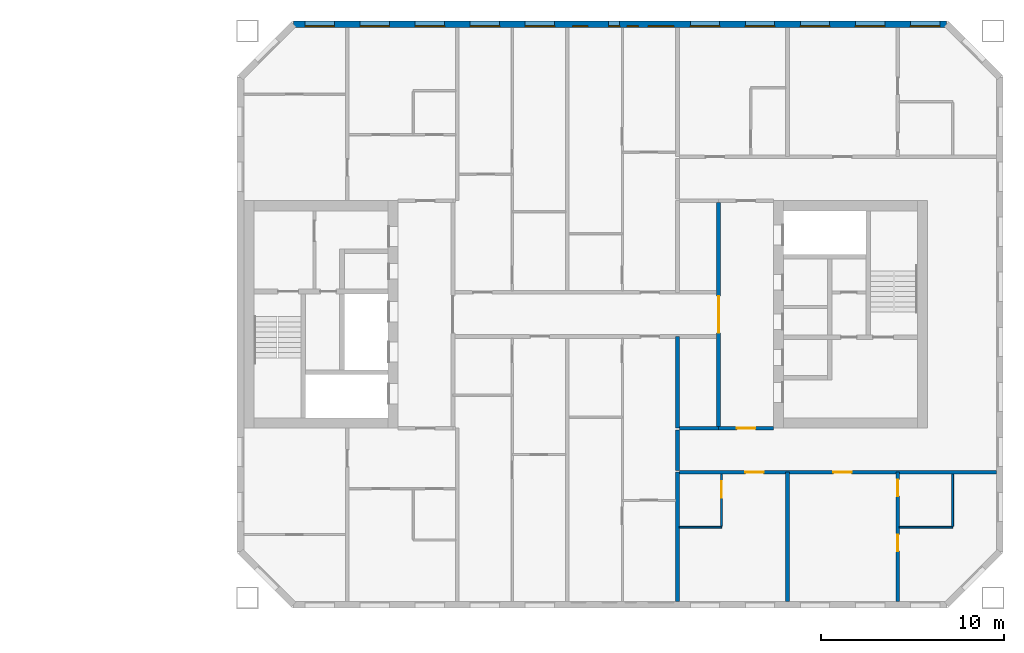
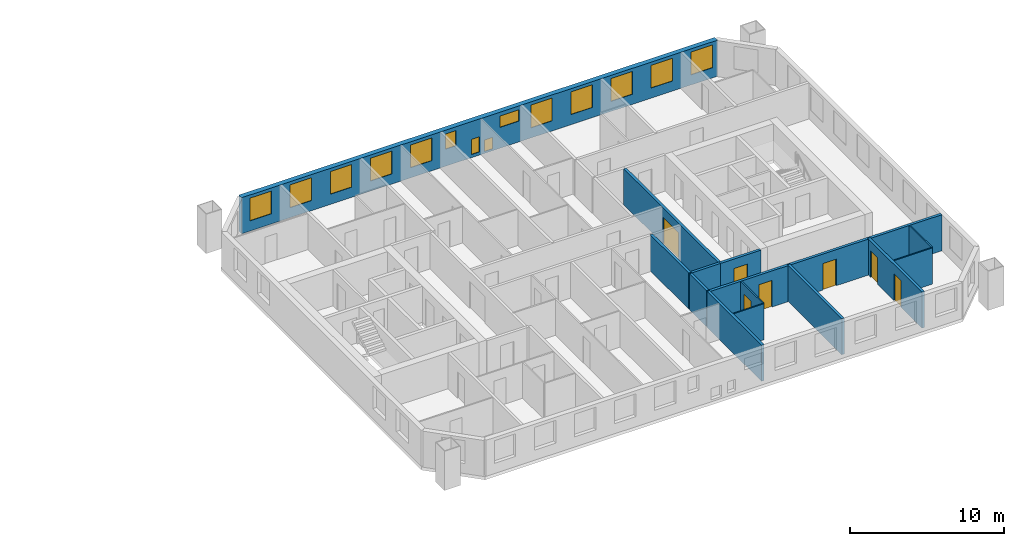
# One storey, part 12 of 16: 14 walls, 14 windows, 7 doors, 21 openings.
"""IFC4 building model written with IfcOpenShell, lengths in metres."""

from ifc_helpers import new_model, si_unit, direction, frame, frame_2d, origin, place, context, subcontext, project, spatial, rectangle, extrude, material, layer, layer_set, type_object, element, fill, save


model = new_model("IFC4")

# Units and contexts
model_context = context("Model", 3, precision=1e-05, world=origin(), true_north=direction((0.0, 1.0)))
body_context = subcontext(model_context, "Body", "Model", "MODEL_VIEW")
ifc_project = project(units=[si_unit("LENGTHUNIT", "METRE"), si_unit("AREAUNIT", "SQUARE_METRE"), si_unit("VOLUMEUNIT", "CUBIC_METRE"), si_unit("PLANEANGLEUNIT", "RADIAN"), si_unit("MASSUNIT", "GRAM", prefix="KILO")], contexts=[model_context])

# Site, building, storey
site_placement = place(None, origin())
site = spatial("IfcSite", under=ifc_project, at=site_placement, CompositionType="ELEMENT")
building_placement = place(site_placement, origin())
building = spatial("IfcBuilding", under=site, at=building_placement, Name="Tuart Gate Housing", CompositionType="ELEMENT")
storey_placement = place(building_placement, frame((0.0, 0.0, 139.199951171875)))
storey = spatial("IfcBuildingStorey", under=building, at=storey_placement, Name="L39", CompositionType="ELEMENT", Elevation=139.199951171875)

# Wall, openings, windows
ifc_material_1 = material(Name="Brick", Category="masonry")
ifc_layer_1 = layer(ifc_material_1, 0.360107421875)
ifc_layer_set_1 = layer_set([ifc_layer_1], Name="Brick pier and spandrel wall 360")
wall_type_1 = type_object("IfcWallType", Name="Brick pier and spandrel wall 360", PredefinedType="STANDARD", material=ifc_layer_set_1)
wall_1_placement = place(storey_placement, frame((169.67529296875, 85.820068359375, 0.0), z_axis=(0.0, 0.0, 1.0), x_axis=(-1.0, 0.0, 0.0)))
wall_1 = element("IfcWall", 1, at=wall_1_placement, inside=storey, type_object=wall_type_1, Name="External wall B-N L39", PredefinedType="STANDARD", context=body_context, shape_type="SweptSolid", body=[
    extrude(rectangle(XDim=35.600830078125, YDim=0.360107421875, at=frame_2d((17.80029296875, 0.0))), origin(), (0.0, 0.0, 1.0), 2.85009765625),
])
opening_1_placement = place(wall_1_placement, frame((0.37548828125, 0.0, 0.800048828125)))
opening_1 = element("IfcOpeningElement", 2, at=opening_1_placement, cuts=wall_1, Name="Opening W1", PredefinedType="OPENING", context=body_context, shape_type="SweptSolid", body=[
    extrude(rectangle(XDim=1.60009765625, YDim=1.800048828125, at=frame_2d((0.800048828125, 0.89990234375))), frame((0.0, 0.18994140625, 0.0), z_axis=(0.0, -1.0, 0.0), x_axis=(1.0, 0.0, 0.0)), (0.0, 0.0, 1.0), 0.380126953125),
])
opening_2_placement = place(wall_1_placement, frame((3.37548828125, 0.0, 0.800048828125)))
opening_2 = element("IfcOpeningElement", 3, at=opening_2_placement, cuts=wall_1, Name="Opening W1", PredefinedType="OPENING", context=body_context, shape_type="SweptSolid", body=[
    extrude(rectangle(XDim=1.60009765625, YDim=1.800048828125, at=frame_2d((0.800048828125, 0.89990234375))), frame((0.0, 0.18994140625, 0.0), z_axis=(0.0, -1.0, 0.0), x_axis=(1.0, 0.0, 0.0)), (0.0, 0.0, 1.0), 0.380126953125),
])
opening_3_placement = place(wall_1_placement, frame((6.37548828125, 0.0, 0.800048828125)))
opening_3 = element("IfcOpeningElement", 4, at=opening_3_placement, cuts=wall_1, Name="Opening W1", PredefinedType="OPENING", context=body_context, shape_type="SweptSolid", body=[
    extrude(rectangle(XDim=1.60009765625, YDim=1.800048828125, at=frame_2d((0.800048828125, 0.89990234375))), frame((0.0, 0.18994140625, 0.0), z_axis=(0.0, -1.0, 0.0), x_axis=(1.0, 0.0, 0.0)), (0.0, 0.0, 1.0), 0.380126953125),
])
opening_4_placement = place(wall_1_placement, frame((9.37548828125, 0.0, 0.800048828125)))
opening_4 = element("IfcOpeningElement", 5, at=opening_4_placement, cuts=wall_1, Name="Opening W1", PredefinedType="OPENING", context=body_context, shape_type="SweptSolid", body=[
    extrude(rectangle(XDim=1.60009765625, YDim=1.800048828125, at=frame_2d((0.800048828125, 0.89990234375))), frame((0.0, 0.18994140625, 0.0), z_axis=(0.0, -1.0, 0.0), x_axis=(1.0, 0.0, 0.0)), (0.0, 0.0, 1.0), 0.380126953125),
])
opening_5_placement = place(wall_1_placement, frame((12.37548828125, 0.0, 0.800048828125)))
opening_5 = element("IfcOpeningElement", 6, at=opening_5_placement, cuts=wall_1, Name="Opening W1", PredefinedType="OPENING", context=body_context, shape_type="SweptSolid", body=[
    extrude(rectangle(XDim=1.60009765625, YDim=1.800048828125, at=frame_2d((0.800048828125, 0.89990234375))), frame((0.0, 0.18994140625, 0.0), z_axis=(0.0, -1.0, 0.0), x_axis=(1.0, 0.0, 0.0)), (0.0, 0.0, 1.0), 0.380126953125),
])
opening_6_placement = place(wall_1_placement, frame((14.87548828125, 0.0, 1.64990234375)))
opening_6 = element("IfcOpeningElement", 7, at=opening_6_placement, cuts=wall_1, Name="Opening W1S", PredefinedType="OPENING", context=body_context, shape_type="SweptSolid", body=[
    extrude(rectangle(XDim=1.39990234375, YDim=0.89990234375, at=frame_2d((0.699951171875, 0.449951171875))), frame((0.0, 0.18994140625, 0.0), z_axis=(0.0, -1.0, 0.0), x_axis=(1.0, 0.0, 0.0)), (0.0, 0.0, 1.0), 0.380126953125),
])
opening_7_placement = place(wall_1_placement, frame((17.825439453125, 0.0, 0.25)))
opening_7 = element("IfcOpeningElement", 8, at=opening_7_placement, cuts=wall_1, Name="Opening W1Q", PredefinedType="OPENING", context=body_context, shape_type="SweptSolid", body=[
    extrude(rectangle(XDim=0.60009765625, YDim=1.199951171875, at=frame_2d((0.300048828125, 0.60009765625))), frame((0.0, 0.18994140625, 0.0), z_axis=(0.0, -1.0, 0.0), x_axis=(1.0, 0.0, 0.0)), (0.0, 0.0, 1.0), 0.380126953125),
])
opening_8_placement = place(wall_1_placement, frame((21.37548828125, 0.0, 0.800048828125)))
opening_8 = element("IfcOpeningElement", 9, at=opening_8_placement, cuts=wall_1, Name="Opening W1", PredefinedType="OPENING", context=body_context, shape_type="SweptSolid", body=[
    extrude(rectangle(XDim=1.60009765625, YDim=1.800048828125, at=frame_2d((0.800048828125, 0.89990234375))), frame((0.0, 0.18994140625, 0.0), z_axis=(0.0, -1.0, 0.0), x_axis=(1.0, 0.0, 0.0)), (0.0, 0.0, 1.0), 0.380126953125),
])
opening_9_placement = place(wall_1_placement, frame((24.37548828125, 0.0, 0.800048828125)))
opening_9 = element("IfcOpeningElement", 10, at=opening_9_placement, cuts=wall_1, Name="Opening W1", PredefinedType="OPENING", context=body_context, shape_type="SweptSolid", body=[
    extrude(rectangle(XDim=1.60009765625, YDim=1.800048828125, at=frame_2d((0.800048828125, 0.89990234375))), frame((0.0, 0.18994140625, 0.0), z_axis=(0.0, -1.0, 0.0), x_axis=(1.0, 0.0, 0.0)), (0.0, 0.0, 1.0), 0.380126953125),
])
opening_10_placement = place(wall_1_placement, frame((27.37548828125, 0.0, 0.800048828125)))
opening_10 = element("IfcOpeningElement", 11, at=opening_10_placement, cuts=wall_1, Name="Opening W1", PredefinedType="OPENING", context=body_context, shape_type="SweptSolid", body=[
    extrude(rectangle(XDim=1.60009765625, YDim=1.800048828125, at=frame_2d((0.800048828125, 0.89990234375))), frame((0.0, 0.18994140625, 0.0), z_axis=(0.0, -1.0, 0.0), x_axis=(1.0, 0.0, 0.0)), (0.0, 0.0, 1.0), 0.380126953125),
])
opening_11_placement = place(wall_1_placement, frame((30.37548828125, 0.0, 0.800048828125)))
opening_11 = element("IfcOpeningElement", 12, at=opening_11_placement, cuts=wall_1, Name="Opening W1", PredefinedType="OPENING", context=body_context, shape_type="SweptSolid", body=[
    extrude(rectangle(XDim=1.60009765625, YDim=1.800048828125, at=frame_2d((0.800048828125, 0.89990234375))), frame((0.0, 0.18994140625, 0.0), z_axis=(0.0, -1.0, 0.0), x_axis=(1.0, 0.0, 0.0)), (0.0, 0.0, 1.0), 0.380126953125),
])
opening_12_placement = place(wall_1_placement, frame((33.37548828125, 0.0, 0.800048828125)))
opening_12 = element("IfcOpeningElement", 13, at=opening_12_placement, cuts=wall_1, Name="Opening W1", PredefinedType="OPENING", context=body_context, shape_type="SweptSolid", body=[
    extrude(rectangle(XDim=1.60009765625, YDim=1.800048828125, at=frame_2d((0.800048828125, 0.89990234375))), frame((0.0, 0.18994140625, 0.0), z_axis=(0.0, -1.0, 0.0), x_axis=(1.0, 0.0, 0.0)), (0.0, 0.0, 1.0), 0.380126953125),
])
opening_13_placement = place(wall_1_placement, frame((16.825439453125, 0.0, 0.14990234375)))
opening_13 = element("IfcOpeningElement", 14, at=opening_13_placement, cuts=wall_1, Name="Opening W1W", PredefinedType="OPENING", context=body_context, shape_type="SweptSolid", body=[
    extrude(rectangle(XDim=0.60009765625, YDim=0.89990234375, at=frame_2d((0.300048828125, 0.449951171875))), frame((0.0, 0.18994140625, 0.0), z_axis=(0.0, -1.0, 0.0), x_axis=(1.0, 0.0, 0.0)), (0.0, 0.0, 1.0), 0.380126953125),
])
opening_14_placement = place(wall_1_placement, frame((19.575439453125, 0.0, 1.35009765625)))
opening_14 = element("IfcOpeningElement", 15, at=opening_14_placement, cuts=wall_1, Name="Opening W1P", PredefinedType="OPENING", context=body_context, shape_type="SweptSolid", body=[
    extrude(rectangle(XDim=0.800048828125, YDim=1.199951171875, at=frame_2d((0.39990234375, 0.60009765625))), frame((0.0, 0.18994140625, 0.0), z_axis=(0.0, -1.0, 0.0), x_axis=(1.0, 0.0, 0.0)), (0.0, 0.0, 1.0), 0.380126953125),
])
ifc_material_2 = material(Name="Aluminium frame with clear glass", Category="aluminium")
window_type_1 = type_object("IfcWindowType", Name="Punched window 1400 x 900", PartitioningType="SINGLE_PANEL", PredefinedType="WINDOW", material=ifc_material_2)
window_1_placement = place(opening_6_placement, origin())
window_1 = element("IfcWindow", 16, at=window_1_placement, inside=storey, type_object=window_type_1, Name="Window W1S", OverallHeight=0.89990234375, OverallWidth=1.39990234375, PartitioningType="SINGLE_PANEL", PredefinedType="WINDOW", context=body_context, shape_type="SweptSolid", body=[
    extrude(rectangle(XDim=1.39990234375, YDim=0.89990234375, at=frame_2d((0.699951171875, 0.449951171875))), frame((0.0, 0.150146484375, 0.0), z_axis=(0.0, -1.0, 0.0), x_axis=(1.0, 0.0, 0.0)), (0.0, 0.0, 1.0), 0.06005859375),
])
fill(opening_6, window_1)
ifc_material_3 = material(Name="Aluminium frame with clear glass", Category="aluminium")
window_type_2 = type_object("IfcWindowType", Name="Punched window 1600 x 1800", PartitioningType="SINGLE_PANEL", PredefinedType="WINDOW", material=ifc_material_3)
window_2_placement = place(opening_1_placement, origin())
window_2 = element("IfcWindow", 17, at=window_2_placement, inside=storey, type_object=window_type_2, Name="Window W1", OverallHeight=1.800048828125, OverallWidth=1.60009765625, PartitioningType="SINGLE_PANEL", PredefinedType="WINDOW", context=body_context, shape_type="SweptSolid", body=[
    extrude(rectangle(XDim=1.60009765625, YDim=1.800048828125, at=frame_2d((0.800048828125, 0.89990234375))), frame((0.0, 0.150146484375, 0.0), z_axis=(0.0, -1.0, 0.0), x_axis=(1.0, 0.0, 0.0)), (0.0, 0.0, 1.0), 0.06005859375),
])
fill(opening_1, window_2)
window_3_placement = place(opening_2_placement, origin())
window_3 = element("IfcWindow", 18, at=window_3_placement, inside=storey, type_object=window_type_2, Name="Window W1", OverallHeight=1.800048828125, OverallWidth=1.60009765625, PartitioningType="SINGLE_PANEL", PredefinedType="WINDOW", context=body_context, shape_type="SweptSolid", body=[
    extrude(rectangle(XDim=1.60009765625, YDim=1.800048828125, at=frame_2d((0.800048828125, 0.89990234375))), frame((0.0, 0.150146484375, 0.0), z_axis=(0.0, -1.0, 0.0), x_axis=(1.0, 0.0, 0.0)), (0.0, 0.0, 1.0), 0.06005859375),
])
fill(opening_2, window_3)
window_4_placement = place(opening_3_placement, origin())
window_4 = element("IfcWindow", 19, at=window_4_placement, inside=storey, type_object=window_type_2, Name="Window W1", OverallHeight=1.800048828125, OverallWidth=1.60009765625, PartitioningType="SINGLE_PANEL", PredefinedType="WINDOW", context=body_context, shape_type="SweptSolid", body=[
    extrude(rectangle(XDim=1.60009765625, YDim=1.800048828125, at=frame_2d((0.800048828125, 0.89990234375))), frame((0.0, 0.150146484375, 0.0), z_axis=(0.0, -1.0, 0.0), x_axis=(1.0, 0.0, 0.0)), (0.0, 0.0, 1.0), 0.06005859375),
])
fill(opening_3, window_4)
window_5_placement = place(opening_4_placement, origin())
window_5 = element("IfcWindow", 20, at=window_5_placement, inside=storey, type_object=window_type_2, Name="Window W1", OverallHeight=1.800048828125, OverallWidth=1.60009765625, PartitioningType="SINGLE_PANEL", PredefinedType="WINDOW", context=body_context, shape_type="SweptSolid", body=[
    extrude(rectangle(XDim=1.60009765625, YDim=1.800048828125, at=frame_2d((0.800048828125, 0.89990234375))), frame((0.0, 0.150146484375, 0.0), z_axis=(0.0, -1.0, 0.0), x_axis=(1.0, 0.0, 0.0)), (0.0, 0.0, 1.0), 0.06005859375),
])
fill(opening_4, window_5)
window_6_placement = place(opening_5_placement, origin())
window_6 = element("IfcWindow", 21, at=window_6_placement, inside=storey, type_object=window_type_2, Name="Window W1", OverallHeight=1.800048828125, OverallWidth=1.60009765625, PartitioningType="SINGLE_PANEL", PredefinedType="WINDOW", context=body_context, shape_type="SweptSolid", body=[
    extrude(rectangle(XDim=1.60009765625, YDim=1.800048828125, at=frame_2d((0.800048828125, 0.89990234375))), frame((0.0, 0.150146484375, 0.0), z_axis=(0.0, -1.0, 0.0), x_axis=(1.0, 0.0, 0.0)), (0.0, 0.0, 1.0), 0.06005859375),
])
fill(opening_5, window_6)
window_7_placement = place(opening_8_placement, origin())
window_7 = element("IfcWindow", 22, at=window_7_placement, inside=storey, type_object=window_type_2, Name="Window W1", OverallHeight=1.800048828125, OverallWidth=1.60009765625, PartitioningType="SINGLE_PANEL", PredefinedType="WINDOW", context=body_context, shape_type="SweptSolid", body=[
    extrude(rectangle(XDim=1.60009765625, YDim=1.800048828125, at=frame_2d((0.800048828125, 0.89990234375))), frame((0.0, 0.150146484375, 0.0), z_axis=(0.0, -1.0, 0.0), x_axis=(1.0, 0.0, 0.0)), (0.0, 0.0, 1.0), 0.06005859375),
])
fill(opening_8, window_7)
window_8_placement = place(opening_9_placement, origin())
window_8 = element("IfcWindow", 23, at=window_8_placement, inside=storey, type_object=window_type_2, Name="Window W1", OverallHeight=1.800048828125, OverallWidth=1.60009765625, PartitioningType="SINGLE_PANEL", PredefinedType="WINDOW", context=body_context, shape_type="SweptSolid", body=[
    extrude(rectangle(XDim=1.60009765625, YDim=1.800048828125, at=frame_2d((0.800048828125, 0.89990234375))), frame((0.0, 0.150146484375, 0.0), z_axis=(0.0, -1.0, 0.0), x_axis=(1.0, 0.0, 0.0)), (0.0, 0.0, 1.0), 0.06005859375),
])
fill(opening_9, window_8)
window_9_placement = place(opening_10_placement, origin())
window_9 = element("IfcWindow", 24, at=window_9_placement, inside=storey, type_object=window_type_2, Name="Window W1", OverallHeight=1.800048828125, OverallWidth=1.60009765625, PartitioningType="SINGLE_PANEL", PredefinedType="WINDOW", context=body_context, shape_type="SweptSolid", body=[
    extrude(rectangle(XDim=1.60009765625, YDim=1.800048828125, at=frame_2d((0.800048828125, 0.89990234375))), frame((0.0, 0.150146484375, 0.0), z_axis=(0.0, -1.0, 0.0), x_axis=(1.0, 0.0, 0.0)), (0.0, 0.0, 1.0), 0.06005859375),
])
fill(opening_10, window_9)
window_10_placement = place(opening_11_placement, origin())
window_10 = element("IfcWindow", 25, at=window_10_placement, inside=storey, type_object=window_type_2, Name="Window W1", OverallHeight=1.800048828125, OverallWidth=1.60009765625, PartitioningType="SINGLE_PANEL", PredefinedType="WINDOW", context=body_context, shape_type="SweptSolid", body=[
    extrude(rectangle(XDim=1.60009765625, YDim=1.800048828125, at=frame_2d((0.800048828125, 0.89990234375))), frame((0.0, 0.150146484375, 0.0), z_axis=(0.0, -1.0, 0.0), x_axis=(1.0, 0.0, 0.0)), (0.0, 0.0, 1.0), 0.06005859375),
])
fill(opening_11, window_10)
window_11_placement = place(opening_12_placement, origin())
window_11 = element("IfcWindow", 26, at=window_11_placement, inside=storey, type_object=window_type_2, Name="Window W1", OverallHeight=1.800048828125, OverallWidth=1.60009765625, PartitioningType="SINGLE_PANEL", PredefinedType="WINDOW", context=body_context, shape_type="SweptSolid", body=[
    extrude(rectangle(XDim=1.60009765625, YDim=1.800048828125, at=frame_2d((0.800048828125, 0.89990234375))), frame((0.0, 0.150146484375, 0.0), z_axis=(0.0, -1.0, 0.0), x_axis=(1.0, 0.0, 0.0)), (0.0, 0.0, 1.0), 0.06005859375),
])
fill(opening_12, window_11)
ifc_material_4 = material(Name="Aluminium frame with clear glass", Category="aluminium")
window_type_3 = type_object("IfcWindowType", Name="Punched window 600 x 1200", PartitioningType="SINGLE_PANEL", PredefinedType="WINDOW", material=ifc_material_4)
window_12_placement = place(opening_7_placement, origin())
window_12 = element("IfcWindow", 27, at=window_12_placement, inside=storey, type_object=window_type_3, Name="Window W1Q", OverallHeight=1.199951171875, OverallWidth=0.60009765625, PartitioningType="SINGLE_PANEL", PredefinedType="WINDOW", context=body_context, shape_type="SweptSolid", body=[
    extrude(rectangle(XDim=0.60009765625, YDim=1.199951171875, at=frame_2d((0.300048828125, 0.60009765625))), frame((0.0, 0.150146484375, 0.0), z_axis=(0.0, -1.0, 0.0), x_axis=(1.0, 0.0, 0.0)), (0.0, 0.0, 1.0), 0.06005859375),
])
fill(opening_7, window_12)
ifc_material_5 = material(Name="Aluminium frame with clear glass", Category="aluminium")
window_type_4 = type_object("IfcWindowType", Name="Punched window 600 x 900", PartitioningType="SINGLE_PANEL", PredefinedType="WINDOW", material=ifc_material_5)
window_13_placement = place(opening_13_placement, origin())
window_13 = element("IfcWindow", 28, at=window_13_placement, inside=storey, type_object=window_type_4, Name="Window W1W", OverallHeight=0.89990234375, OverallWidth=0.60009765625, PartitioningType="SINGLE_PANEL", PredefinedType="WINDOW", context=body_context, shape_type="SweptSolid", body=[
    extrude(rectangle(XDim=0.60009765625, YDim=0.89990234375, at=frame_2d((0.300048828125, 0.449951171875))), frame((0.0, 0.150146484375, 0.0), z_axis=(0.0, -1.0, 0.0), x_axis=(1.0, 0.0, 0.0)), (0.0, 0.0, 1.0), 0.06005859375),
])
fill(opening_13, window_13)
ifc_material_6 = material(Name="Aluminium frame with clear glass", Category="aluminium")
window_type_5 = type_object("IfcWindowType", Name="Punched window 800 x 1200", PartitioningType="SINGLE_PANEL", PredefinedType="WINDOW", material=ifc_material_6)
window_14_placement = place(opening_14_placement, origin())
window_14 = element("IfcWindow", 29, at=window_14_placement, inside=storey, type_object=window_type_5, Name="Window W1P", OverallHeight=1.199951171875, OverallWidth=0.800048828125, PartitioningType="SINGLE_PANEL", PredefinedType="WINDOW", context=body_context, shape_type="SweptSolid", body=[
    extrude(rectangle(XDim=0.800048828125, YDim=1.199951171875, at=frame_2d((0.39990234375, 0.60009765625))), frame((0.0, 0.150146484375, 0.0), z_axis=(0.0, -1.0, 0.0), x_axis=(1.0, 0.0, 0.0)), (0.0, 0.0, 1.0), 0.06005859375),
])
fill(opening_14, window_14)

# Wall, openings, doors
ifc_material_7 = material(Name="Concrete masonry 15 MPa", Category="masonry")
ifc_layer_2 = layer(ifc_material_7, 0.199951171875)
ifc_layer_set_2 = layer_set([ifc_layer_2], Name="Corridor wall masonry 200")
wall_type_2 = type_object("IfcWallType", Name="Corridor wall masonry 200", PredefinedType="PARTITIONING", material=ifc_layer_set_2)
wall_2_placement = place(storey_placement, frame((155.10009765625, 61.39990234375, 0.0), z_axis=(0.0, 0.0, 1.0), x_axis=(1.0, 0.0, 0.0)))
wall_2 = element("IfcWall", 30, at=wall_2_placement, inside=storey, type_object=wall_type_2, Name="Corridor wall masonry 200", PredefinedType="PARTITIONING", context=body_context, shape_type="SweptSolid", body=[
    extrude(rectangle(XDim=17.289794921875, YDim=0.199951171875, at=frame_2d((8.64501953125, 0.0))), origin(), (0.0, 0.0, 1.0), 2.85009765625),
])
opening_15_placement = place(wall_2_placement, frame((3.60009765625, 0.0, 0.0)))
opening_15 = element("IfcOpeningElement", 31, at=opening_15_placement, cuts=wall_2, Name="Opening D1506", PredefinedType="OPENING", context=body_context, shape_type="SweptSolid", body=[
    extrude(rectangle(XDim=1.0, YDim=2.10009765625, at=frame_2d((0.5, 1.050048828125))), frame((0.0, 0.10986328125, 0.0), z_axis=(0.0, -1.0, 0.0), x_axis=(1.0, 0.0, 0.0)), (0.0, 0.0, 1.0), 0.219970703125),
])
opening_16_placement = place(wall_2_placement, frame((8.39990234375, 0.0, 0.0)))
opening_16 = element("IfcOpeningElement", 32, at=opening_16_placement, cuts=wall_2, Name="Opening D1507", PredefinedType="OPENING", context=body_context, shape_type="SweptSolid", body=[
    extrude(rectangle(XDim=1.0, YDim=2.10009765625, at=frame_2d((0.5, 1.050048828125))), frame((0.0, 0.10986328125, 0.0), z_axis=(0.0, -1.0, 0.0), x_axis=(1.0, 0.0, 0.0)), (0.0, 0.0, 1.0), 0.219970703125),
])
ifc_material_8 = material(Name="Timber door leaf in steel frame", Category="steel")
door_type_1 = type_object("IfcDoorType", Name="Flat entrance door 1000 RH", OperationType="SINGLE_SWING_RIGHT", PredefinedType="DOOR", material=ifc_material_8)
door_1_placement = place(opening_15_placement, frame((1.0, 0.0, 0.0), z_axis=(0.0, 0.0, 1.0), x_axis=(-1.0, 0.0, 0.0)))
door_1 = element("IfcDoor", 33, at=door_1_placement, inside=storey, type_object=door_type_1, Name="Flat entrance door", OperationType="SINGLE_SWING_RIGHT", OverallHeight=2.10009765625, OverallWidth=1.0, PredefinedType="DOOR", context=body_context, shape_type="SweptSolid", body=[
    extrude(rectangle(XDim=1.0, YDim=2.10009765625, at=frame_2d((0.5, 1.050048828125))), frame((0.0, 0.025146484375, 0.0), z_axis=(0.0, -1.0, 0.0), x_axis=(1.0, 0.0, 0.0)), (0.0, 0.0, 1.0), 0.050048828125),
])
fill(opening_15, door_1)
door_2_placement = place(opening_16_placement, frame((1.0, 0.0, 0.0), z_axis=(0.0, 0.0, 1.0), x_axis=(-1.0, 0.0, 0.0)))
door_2 = element("IfcDoor", 34, at=door_2_placement, inside=storey, type_object=door_type_1, Name="Flat entrance door", OperationType="SINGLE_SWING_RIGHT", OverallHeight=2.10009765625, OverallWidth=1.0, PredefinedType="DOOR", context=body_context, shape_type="SweptSolid", body=[
    extrude(rectangle(XDim=1.0, YDim=2.10009765625, at=frame_2d((0.5, 1.050048828125))), frame((0.0, 0.025146484375, 0.0), z_axis=(0.0, -1.0, 0.0), x_axis=(1.0, 0.0, 0.0)), (0.0, 0.0, 1.0), 0.050048828125),
])
fill(opening_16, door_2)

# Walls
wall_3_placement = place(storey_placement, frame((155.10009765625, 63.800048828125, 0.0), z_axis=(0.0, 0.0, 1.0), x_axis=(1.0, 0.0, 0.0)))
element("IfcWall", 35, at=wall_3_placement, inside=storey, type_object=wall_type_2, Name="Corridor wall masonry 200", PredefinedType="PARTITIONING", context=body_context, shape_type="SweptSolid", body=[
    extrude(rectangle(XDim=2.139892578125, YDim=0.199951171875, at=frame_2d((1.06982421875, 0.0))), origin(), (0.0, 0.0, 1.0), 2.85009765625),
])
wall_4_placement = place(storey_placement, frame((155.0, 61.5, 0.0), z_axis=(0.0, 0.0, 1.0), x_axis=(0.0, 1.0, 0.0)))
element("IfcWall", 36, at=wall_4_placement, inside=storey, type_object=wall_type_2, Name="Corridor wall masonry 200", PredefinedType="PARTITIONING", context=body_context, shape_type="SweptSolid", body=[
    extrude(rectangle(XDim=2.199951171875, YDim=0.199951171875, at=frame_2d((1.10009765625, 0.0))), origin(), (0.0, 0.0, 1.0), 2.85009765625),
])

# Wall, opening, door
ifc_material_9 = material(Name="Concrete masonry 15 MPa", Category="masonry")
ifc_layer_3 = layer(ifc_material_9, 0.199951171875)
ifc_layer_set_3 = layer_set([ifc_layer_3], Name="Enclosure wall masonry 200")
wall_type_3 = type_object("IfcWallType", Name="Enclosure wall masonry 200", PredefinedType="PARTITIONING", material=ifc_layer_set_3)
wall_5_placement = place(storey_placement, frame((157.239990234375, 63.800048828125, 0.0), z_axis=(0.0, 0.0, 1.0), x_axis=(1.0, 0.0, 0.0)))
wall_5 = element("IfcWall", 37, at=wall_5_placement, inside=storey, type_object=wall_type_3, Name="Enclosure wall masonry 200", PredefinedType="PARTITIONING", context=body_context, shape_type="SweptSolid", body=[
    extrude(rectangle(XDim=3.0, YDim=0.199951171875, at=frame_2d((1.5, 0.0))), origin(), (0.0, 0.0, 1.0), 2.85009765625),
])
opening_17_placement = place(wall_5_placement, frame((1.0, 0.0, 0.0)))
opening_17 = element("IfcOpeningElement", 38, at=opening_17_placement, cuts=wall_5, Name="Opening D1500", PredefinedType="OPENING", context=body_context, shape_type="SweptSolid", body=[
    extrude(rectangle(XDim=1.0, YDim=2.10009765625, at=frame_2d((0.5, 1.050048828125))), frame((0.0, 0.10986328125, 0.0), z_axis=(0.0, -1.0, 0.0), x_axis=(1.0, 0.0, 0.0)), (0.0, 0.0, 1.0), 0.219970703125),
])
ifc_material_10 = material(Name="Timber door leaf in steel frame", Category="steel")
door_type_2 = type_object("IfcDoorType", Name="Fire door 1000 RH", OperationType="SINGLE_SWING_RIGHT", PredefinedType="DOOR", material=ifc_material_10)
door_3_placement = place(opening_17_placement, frame((1.0, 0.0, 0.0), z_axis=(0.0, 0.0, 1.0), x_axis=(-1.0, 0.0, 0.0)))
door_3 = element("IfcDoor", 39, at=door_3_placement, inside=storey, type_object=door_type_2, Name="Fire door", OperationType="SINGLE_SWING_RIGHT", OverallHeight=2.10009765625, OverallWidth=1.0, PredefinedType="DOOR", context=body_context, shape_type="SweptSolid", body=[
    extrude(rectangle(XDim=1.0, YDim=2.10009765625, at=frame_2d((0.5, 1.050048828125))), frame((0.0, 0.025146484375, 0.0), z_axis=(0.0, -1.0, 0.0), x_axis=(1.0, 0.0, 0.0)), (0.0, 0.0, 1.0), 0.050048828125),
])
fill(opening_17, door_3)

ifc_material_11 = material(Name="Plasterboard partition")
ifc_layer_4 = layer(ifc_material_11, 0.199951171875)
ifc_layer_set_4 = layer_set([ifc_layer_4], Name="Lobby wall 200")
wall_type_4 = type_object("IfcWallType", Name="Lobby wall 200", PredefinedType="PARTITIONING", material=ifc_layer_set_4)
wall_6_placement = place(storey_placement, frame((157.239990234375, 63.89990234375, 0.0), z_axis=(0.0, 0.0, 1.0), x_axis=(0.0, 1.0, 0.0)))
wall_6 = element("IfcWall", 40, at=wall_6_placement, inside=storey, type_object=wall_type_4, Name="Lift lobby wall BK", PredefinedType="PARTITIONING", context=body_context, shape_type="SweptSolid", body=[
    extrude(rectangle(XDim=12.2001953125, YDim=0.199951171875, at=frame_2d((6.10009765625, 0.0))), origin(), (0.0, 0.0, 1.0), 2.85009765625),
])
opening_18_placement = place(wall_6_placement, frame((5.10009765625, 0.0, 0.0)))
opening_18 = element("IfcOpeningElement", 41, at=opening_18_placement, cuts=wall_6, Name="Opening D1490", PredefinedType="OPENING", context=body_context, shape_type="SweptSolid", body=[
    extrude(rectangle(XDim=2.0, YDim=2.10009765625, at=frame_2d((1.0, 1.050048828125))), frame((0.0, 0.10986328125, 0.0), z_axis=(0.0, -1.0, 0.0), x_axis=(1.0, 0.0, 0.0)), (0.0, 0.0, 1.0), 0.219970703125),
])
ifc_material_12 = material(Name="Steel fire door", Category="steel")
door_type_3 = type_object("IfcDoorType", Name="Smoke door 2000 x 2100", OperationType="DOUBLE_DOOR_SINGLE_SWING", PredefinedType="DOOR", material=ifc_material_12)
door_4_placement = place(opening_18_placement, frame((2.0, 0.0, 0.0), z_axis=(0.0, 0.0, 1.0), x_axis=(-1.0, 0.0, 0.0)))
door_4 = element("IfcDoor", 42, at=door_4_placement, inside=storey, type_object=door_type_3, Name="Lift lobby smoke door BK", OperationType="DOUBLE_DOOR_SINGLE_SWING", OverallHeight=2.10009765625, OverallWidth=2.0, PredefinedType="DOOR", context=body_context, shape_type="SweptSolid", body=[
    extrude(rectangle(XDim=2.0, YDim=2.10009765625, at=frame_2d((1.0, 1.050048828125))), frame((0.0, 0.025146484375, 0.0), z_axis=(0.0, -1.0, 0.0), x_axis=(1.0, 0.0, 0.0)), (0.0, 0.0, 1.0), 0.050048828125),
])
fill(opening_18, door_4)

# Walls
ifc_material_13 = material(Name="Gypsum board on steel studs", Category="steel")
ifc_layer_5 = layer(ifc_material_13, 0.10009765625)
ifc_layer_set_5 = layer_set([ifc_layer_5], Name="Partition 100")
wall_type_5 = type_object("IfcWallType", Name="Partition 100", PredefinedType="PARTITIONING", material=ifc_layer_set_5)
wall_7_placement = place(storey_placement, frame((155.10009765625, 58.39990234375, 0.0), z_axis=(0.0, 0.0, 1.0), x_axis=(1.0, 0.0, 0.0)))
element("IfcWall", 43, at=wall_7_placement, inside=storey, type_object=wall_type_5, Name="Partition 100", PredefinedType="PARTITIONING", context=body_context, shape_type="SweptSolid", body=[
    extrude(rectangle(XDim=2.2998046875, YDim=0.10009765625, at=frame_2d((1.14990234375, 0.0))), origin(), (0.0, 0.0, 1.0), 2.85009765625),
])
wall_8_placement = place(storey_placement, frame((167.10009765625, 58.39990234375, 0.0), z_axis=(0.0, 0.0, 1.0), x_axis=(1.0, 0.0, 0.0)))
element("IfcWall", 44, at=wall_8_placement, inside=storey, type_object=wall_type_5, Name="Partition 100", PredefinedType="PARTITIONING", context=body_context, shape_type="SweptSolid", body=[
    extrude(rectangle(XDim=2.89990234375, YDim=0.10009765625, at=frame_2d((1.449951171875, 0.0))), origin(), (0.0, 0.0, 1.0), 2.85009765625),
])

# Wall, opening, door
wall_9_placement = place(storey_placement, frame((157.39990234375, 58.449951171875, 0.0), z_axis=(0.0, 0.0, 1.0), x_axis=(0.0, 1.0, 0.0)))
wall_9 = element("IfcWall", 45, at=wall_9_placement, inside=storey, type_object=wall_type_5, Name="Partition 100", PredefinedType="PARTITIONING", context=body_context, shape_type="SweptSolid", body=[
    extrude(rectangle(XDim=2.85009765625, YDim=0.10009765625, at=frame_2d((1.425048828125, 0.0))), origin(), (0.0, 0.0, 1.0), 2.85009765625),
])
opening_19_placement = place(wall_9_placement, frame((1.550048828125, 0.0, 0.0)))
opening_19 = element("IfcOpeningElement", 46, at=opening_19_placement, cuts=wall_9, Name="Opening D1510", PredefinedType="OPENING", context=body_context, shape_type="SweptSolid", body=[
    extrude(rectangle(XDim=0.89990234375, YDim=2.10009765625, at=frame_2d((0.449951171875, 1.050048828125))), frame((0.0, 0.06005859375, 0.0), z_axis=(0.0, -1.0, 0.0), x_axis=(1.0, 0.0, 0.0)), (0.0, 0.0, 1.0), 0.1201171875),
])
ifc_material_14 = material(Name="Timber door leaf in steel frame", Category="steel")
door_type_4 = type_object("IfcDoorType", Name="Bathroom door 900 RH", OperationType="SINGLE_SWING_RIGHT", PredefinedType="DOOR", material=ifc_material_14)
door_5_placement = place(opening_19_placement, origin())
door_5 = element("IfcDoor", 47, at=door_5_placement, inside=storey, type_object=door_type_4, Name="Bathroom door", OperationType="SINGLE_SWING_RIGHT", OverallHeight=2.10009765625, OverallWidth=0.89990234375, PredefinedType="DOOR", context=body_context, shape_type="SweptSolid", body=[
    extrude(rectangle(XDim=0.89990234375, YDim=2.10009765625, at=frame_2d((0.449951171875, 1.050048828125))), frame((0.0, 0.02490234375, 0.0), z_axis=(0.0, -1.0, 0.0), x_axis=(1.0, 0.0, 0.0)), (0.0, 0.0, 1.0), 0.050048828125),
])
fill(opening_19, door_5)

# Walls
wall_10_placement = place(storey_placement, frame((170.0, 58.449951171875, 0.0), z_axis=(0.0, 0.0, 1.0), x_axis=(0.0, 1.0, 0.0)))
element("IfcWall", 48, at=wall_10_placement, inside=storey, type_object=wall_type_5, Name="Partition 100", PredefinedType="PARTITIONING", context=body_context, shape_type="SweptSolid", body=[
    extrude(rectangle(XDim=2.85009765625, YDim=0.10009765625, at=frame_2d((1.425048828125, 0.0))), origin(), (0.0, 0.0, 1.0), 2.85009765625),
])
ifc_material_15 = material(Name="Concrete C40", Category="concrete")
ifc_layer_6 = layer(ifc_material_15, 0.199951171875)
ifc_layer_set_6 = layer_set([ifc_layer_6], Name="Party wall concrete C40 200")
wall_type_6 = type_object("IfcWallType", Name="Party wall concrete C40 200", PredefinedType="SOLIDWALL", material=ifc_layer_set_6)
wall_11_placement = place(storey_placement, frame((155.0, 54.360107421875, 0.0), z_axis=(0.0, 0.0, 1.0), x_axis=(0.0, 1.0, 0.0)))
element("IfcWall", 49, at=wall_11_placement, inside=storey, type_object=wall_type_6, Name="Party wall concrete C40 200", PredefinedType="SOLIDWALL", context=body_context, shape_type="SweptSolid", body=[
    extrude(rectangle(XDim=7.039794921875, YDim=0.199951171875, at=frame_2d((3.52001953125, 0.0))), origin(), (0.0, 0.0, 1.0), 2.85009765625),
])
wall_12_placement = place(storey_placement, frame((155.0, 63.800048828125, 0.0), z_axis=(0.0, 0.0, 1.0), x_axis=(0.0, 1.0, 0.0)))
element("IfcWall", 50, at=wall_12_placement, inside=storey, type_object=wall_type_6, Name="Party wall concrete C40 200", PredefinedType="SOLIDWALL", context=body_context, shape_type="SweptSolid", body=[
    extrude(rectangle(XDim=5.0, YDim=0.199951171875, at=frame_2d((2.5, 0.0))), origin(), (0.0, 0.0, 1.0), 2.85009765625),
])
wall_13_placement = place(storey_placement, frame((161.0, 54.360107421875, 0.0), z_axis=(0.0, 0.0, 1.0), x_axis=(0.0, 1.0, 0.0)))
element("IfcWall", 51, at=wall_13_placement, inside=storey, type_object=wall_type_6, Name="Party wall concrete C40 200", PredefinedType="SOLIDWALL", context=body_context, shape_type="SweptSolid", body=[
    extrude(rectangle(XDim=7.039794921875, YDim=0.199951171875, at=frame_2d((3.52001953125, 0.0))), origin(), (0.0, 0.0, 1.0), 2.85009765625),
])

# Wall, openings, doors
wall_14_placement = place(storey_placement, frame((167.0, 54.360107421875, 0.0), z_axis=(0.0, 0.0, 1.0), x_axis=(0.0, 1.0, 0.0)))
wall_14 = element("IfcWall", 52, at=wall_14_placement, inside=storey, type_object=wall_type_6, Name="Party wall concrete C40 200", PredefinedType="SOLIDWALL", context=body_context, shape_type="SweptSolid", body=[
    extrude(rectangle(XDim=7.039794921875, YDim=0.199951171875, at=frame_2d((3.52001953125, 0.0))), origin(), (0.0, 0.0, 1.0), 2.85009765625),
])
opening_20_placement = place(wall_14_placement, frame((2.739990234375, 0.0, 0.0)))
opening_20 = element("IfcOpeningElement", 53, at=opening_20_placement, cuts=wall_14, Name="Opening D1515", PredefinedType="OPENING", context=body_context, shape_type="SweptSolid", body=[
    extrude(rectangle(XDim=0.89990234375, YDim=2.10009765625, at=frame_2d((0.449951171875, 1.050048828125))), frame((0.0, 0.10986328125, 0.0), z_axis=(0.0, -1.0, 0.0), x_axis=(1.0, 0.0, 0.0)), (0.0, 0.0, 1.0), 0.219970703125),
])
opening_21_placement = place(wall_14_placement, frame((5.739990234375, 0.0, 0.0)))
opening_21 = element("IfcOpeningElement", 54, at=opening_21_placement, cuts=wall_14, Name="Opening D1514", PredefinedType="OPENING", context=body_context, shape_type="SweptSolid", body=[
    extrude(rectangle(XDim=0.89990234375, YDim=2.10009765625, at=frame_2d((0.449951171875, 1.050048828125))), frame((0.0, 0.10986328125, 0.0), z_axis=(0.0, -1.0, 0.0), x_axis=(1.0, 0.0, 0.0)), (0.0, 0.0, 1.0), 0.219970703125),
])
ifc_material_16 = material(Name="Timber door leaf in steel frame", Category="steel")
door_type_5 = type_object("IfcDoorType", Name="Bathroom door 900", OperationType="SINGLE_SWING_LEFT", PredefinedType="DOOR", material=ifc_material_16)
door_6_placement = place(opening_21_placement, frame((0.89990234375, 0.0, 0.0), z_axis=(0.0, 0.0, 1.0), x_axis=(-1.0, 0.0, 0.0)))
door_6 = element("IfcDoor", 55, at=door_6_placement, inside=storey, type_object=door_type_5, Name="Bathroom door", OperationType="SINGLE_SWING_LEFT", OverallHeight=2.10009765625, OverallWidth=0.89990234375, PredefinedType="DOOR", context=body_context, shape_type="SweptSolid", body=[
    extrude(rectangle(XDim=0.89990234375, YDim=2.10009765625, at=frame_2d((0.449951171875, 1.050048828125))), frame((0.0, 0.025146484375, 0.0), z_axis=(0.0, -1.0, 0.0), x_axis=(1.0, 0.0, 0.0)), (0.0, 0.0, 1.0), 0.050048828125),
])
fill(opening_21, door_6)
ifc_material_17 = material(Name="Timber door leaf in steel frame", Category="steel")
door_type_6 = type_object("IfcDoorType", Name="Internal door 900", OperationType="SINGLE_SWING_LEFT", PredefinedType="DOOR", material=ifc_material_17)
door_7_placement = place(opening_20_placement, frame((0.89990234375, 0.0, 0.0), z_axis=(0.0, 0.0, 1.0), x_axis=(-1.0, 0.0, 0.0)))
door_7 = element("IfcDoor", 56, at=door_7_placement, inside=storey, type_object=door_type_6, Name="Internal door", OperationType="SINGLE_SWING_LEFT", OverallHeight=2.10009765625, OverallWidth=0.89990234375, PredefinedType="DOOR", context=body_context, shape_type="SweptSolid", body=[
    extrude(rectangle(XDim=0.89990234375, YDim=2.10009765625, at=frame_2d((0.449951171875, 1.050048828125))), frame((0.0, 0.025146484375, 0.0), z_axis=(0.0, -1.0, 0.0), x_axis=(1.0, 0.0, 0.0)), (0.0, 0.0, 1.0), 0.050048828125),
])
fill(opening_20, door_7)

save(model, "model.ifc")
